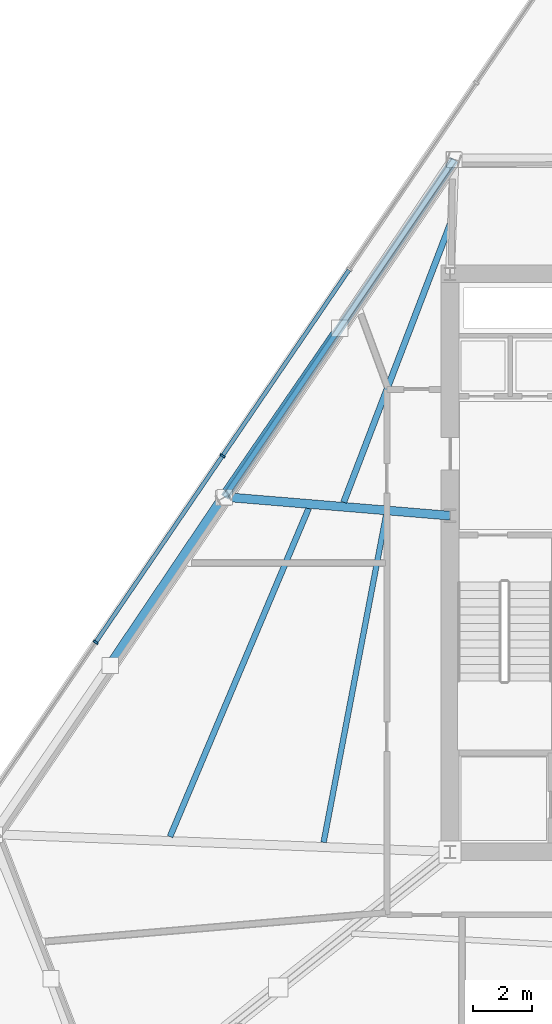
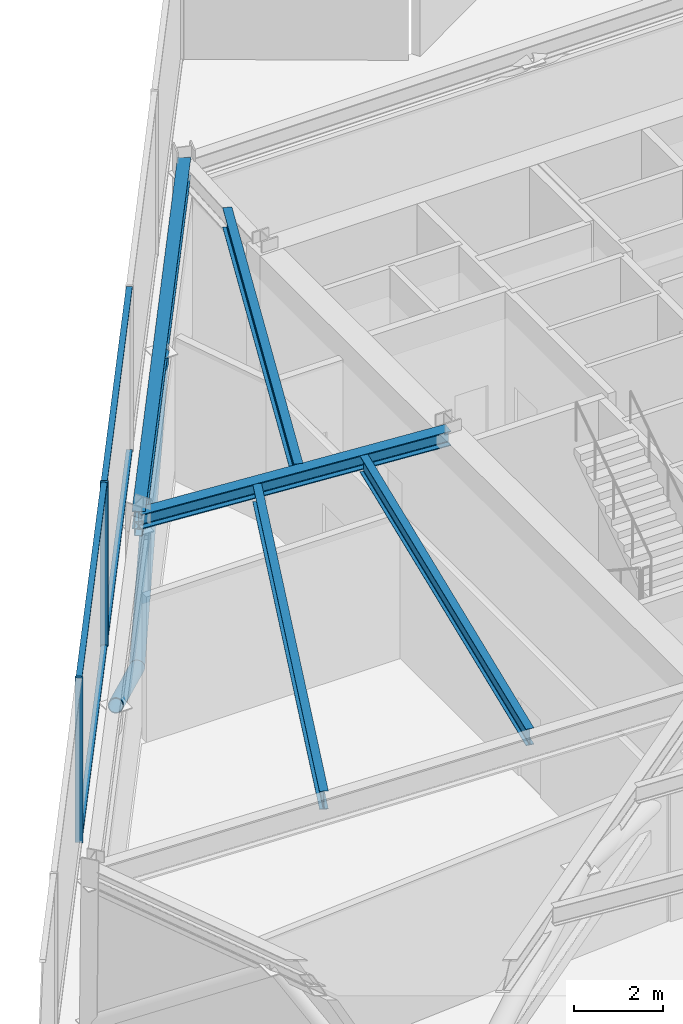
# One storey, part 4 of 16: 9 members, 5 beams, 1 element without a shape of its own.
"""IFC4 building model written with IfcOpenShell, lengths in metres."""

from ifc_helpers import new_model, si_unit, direction, frame, origin, origin_2d, place, context, subcontext, project, spatial, rectangle, hollow_rectangle, hollow_circle, i_section, extrude, material, material_profile, profile_set, type_object, element, aggregate, save


model = new_model("IFC4")

# Units and contexts
model_context = context("Model", 3, precision=1e-05, world=origin(), true_north=direction((0.0, 1.0)))
body_context = subcontext(model_context, "Body", "Model", "MODEL_VIEW")
ifc_project = project(units=[si_unit("LENGTHUNIT", "METRE"), si_unit("AREAUNIT", "SQUARE_METRE"), si_unit("VOLUMEUNIT", "CUBIC_METRE"), si_unit("PLANEANGLEUNIT", "RADIAN"), si_unit("MASSUNIT", "GRAM", prefix="KILO")], contexts=[model_context])

# Site, building, storey
site_placement = place(None, origin())
site = spatial("IfcSite", under=ifc_project, at=site_placement, CompositionType="ELEMENT")
building_placement = place(site_placement, origin())
building = spatial("IfcBuilding", under=site, at=building_placement, Name="Savorim Split Tower", CompositionType="ELEMENT")
storey_placement = place(building_placement, frame((0.0, 0.0, 73.199951171875)))
storey = spatial("IfcBuildingStorey", under=building, at=storey_placement, Name="L19", CompositionType="ELEMENT", Elevation=73.199951171875)

# Beams
ifc_material_1 = material(Name="Steel S355", Category="steel")
ifc_material_profile_1 = material_profile(ifc_material_1, i_section(OverallWidth=0.18994140625, OverallDepth=0.449951171875, WebThickness=0.009521484375, FlangeThickness=0.0146484375, FilletRadius=0.02099609375, at=origin_2d()), Name="IPE 450")
ifc_profile_set_1 = profile_set([ifc_material_profile_1], Name="Steel S355")
beam_type_1 = type_object("IfcBeamType", Name="BM-JST-IPE450", PredefinedType="JOIST", material=ifc_profile_set_1)
beam_1_placement = place(storey_placement, frame((-9.8662109375, 2.0205078125, 4.275146484375), z_axis=(-0.187567919581, -0.982251635552, 0.0), x_axis=(0.982251635552, -0.187567919581, 0.0)))
element("IfcBeam", 1, at=beam_1_placement, inside=storey, type_object=beam_type_1, Name="L19 Secondary Floor Joist JS-11", PredefinedType="JOIST", context=body_context, shape_type="SweptSolid", body=[
    extrude(i_section(OverallWidth=0.18994140625, OverallDepth=0.449951171875, WebThickness=0.009521484375, FlangeThickness=0.0146484375, FilletRadius=0.02099609375, at=origin_2d()), origin(), (0.0, 0.0, 1.0), 11.296630859375),
])
ifc_material_profile_2 = material_profile(ifc_material_1, i_section(OverallWidth=0.199951171875, OverallDepth=0.5, WebThickness=0.01025390625, FlangeThickness=0.01611328125, FilletRadius=0.02099609375, at=origin_2d()), Name="IPE 500")
ifc_profile_set_2 = profile_set([ifc_material_profile_2], Name="Steel S355")
beam_type_2 = type_object("IfcBeamType", Name="BM-JST-IPE500", PredefinedType="JOIST", material=ifc_profile_set_2)
beam_2_placement = place(storey_placement, frame((-12.49267578125, 2.246337890625, 4.25), z_axis=(-0.389040641039, -0.921220592269, 0.0), x_axis=(0.921220592269, -0.389040641039, 0.0)))
element("IfcBeam", 2, at=beam_2_placement, inside=storey, type_object=beam_type_2, Name="L19 Secondary Floor Joist JS-10", PredefinedType="JOIST", context=body_context, shape_type="SweptSolid", body=[
    extrude(i_section(OverallWidth=0.199951171875, OverallDepth=0.5, WebThickness=0.01025390625, FlangeThickness=0.01611328125, FilletRadius=0.02099609375, at=origin_2d()), origin(), (0.0, 0.0, 1.0), 12.080810546875),
])
ifc_material_profile_3 = material_profile(ifc_material_1, i_section(OverallWidth=0.2099609375, OverallDepth=0.550048828125, WebThickness=0.010986328125, FlangeThickness=0.01708984375, FilletRadius=0.02392578125, at=origin_2d()), Name="IPE 550")
ifc_profile_set_3 = profile_set([ifc_material_profile_3], Name="Steel S355")
beam_type_3 = type_object("IfcBeamType", Name="BM-JST-IPE550", PredefinedType="JOIST", material=ifc_profile_set_3)
beam_3_placement = place(storey_placement, frame((-7.684326171875, 11.909912109375, 4.22509765625), z_axis=(-0.357581050503, -0.933882108363, 0.0), x_axis=(0.933882108363, -0.357581050503, 0.0)))
element("IfcBeam", 3, at=beam_3_placement, inside=storey, type_object=beam_type_3, Name="L19 Secondary Floor Joist JS-09", PredefinedType="JOIST", context=body_context, shape_type="SweptSolid", body=[
    extrude(i_section(OverallWidth=0.2099609375, OverallDepth=0.550048828125, WebThickness=0.010986328125, FlangeThickness=0.01708984375, FilletRadius=0.02392578125, at=origin_2d()), origin(), (0.0, 0.0, 1.0), 10.125244140625),
])
ifc_material_profile_4 = material_profile(ifc_material_1, i_section(OverallWidth=0.300048828125, OverallDepth=0.39990234375, WebThickness=0.013427734375, FlangeThickness=0.02392578125, FilletRadius=0.027099609375, at=origin_2d()), Name="HEB 400")
ifc_profile_set_4 = profile_set([ifc_material_profile_4], Name="Steel S355")
beam_type_4 = type_object("IfcBeamType", Name="BM-PRI-HEB400", PredefinedType="BEAM", material=ifc_profile_set_4)
beam_4_placement = place(storey_placement, frame((-15.32958984375, 2.635009765625, 4.300048828125), z_axis=(0.996554329895, -0.082942555824, 0.0), x_axis=(0.082942555824, 0.996554329895, 0.0)))
element("IfcBeam", 4, at=beam_4_placement, inside=storey, type_object=beam_type_4, Name="L19 Primary Floor Girder RG-09", PredefinedType="BEAM", context=body_context, shape_type="SweptSolid", body=[
    extrude(i_section(OverallWidth=0.300048828125, OverallDepth=0.39990234375, WebThickness=0.013427734375, FlangeThickness=0.02392578125, FilletRadius=0.027099609375, at=origin_2d()), origin(), (0.0, 0.0, 1.0), 7.656005859375),
])
ifc_material_profile_5 = material_profile(ifc_material_1, i_section(OverallWidth=0.300048828125, OverallDepth=0.489990234375, WebThickness=0.011962890625, FlangeThickness=0.02294921875, FilletRadius=0.027099609375, at=origin_2d()), Name="HEA 500")
ifc_profile_set_5 = profile_set([ifc_material_profile_5], Name="Steel S355")
beam_type_5 = type_object("IfcBeamType", Name="BM-SPN-HEA500", PredefinedType="SPANDREL", material=ifc_profile_set_5)
beam_5_placement = place(storey_placement, frame((-7.54833984375, 14.0732421875, 4.255126953125), z_axis=(-0.562470752527, -0.826817182061, 0.0), x_axis=(0.826817182061, -0.562470752527, 0.0)))
element("IfcBeam", 5, at=beam_5_placement, inside=storey, type_object=beam_type_5, Name="L19 Perimeter Spandrel Beam 8", PredefinedType="SPANDREL", context=body_context, shape_type="SweptSolid", body=[
    extrude(i_section(OverallWidth=0.300048828125, OverallDepth=0.489990234375, WebThickness=0.011962890625, FlangeThickness=0.02294921875, FilletRadius=0.027099609375, at=origin_2d()), origin(), (0.0, 0.0, 1.0), 13.833984375),
])

# Curtain wall, members
ifc_material_2 = material(Name="Dark Ceramic-Fritted Insulated Glass", Category="glass")
curtain_wall_type = type_object("IfcCurtainWallType", Name="CW-REFUGE-LVR", PredefinedType="NOTDEFINED", material=ifc_material_2)
curtain_wall_placement = place(storey_placement, origin())
curtain_wall = element("IfcCurtainWall", 6, at=curtain_wall_placement, inside=storey, type_object=curtain_wall_type, Name="L19 Curtain Wall CW-L19-WEST", PredefinedType="NOTDEFINED")
ifc_material_3 = material(Name="Charcoal Anodised Aluminium", Category="aluminium")
ifc_material_profile_6 = material_profile(ifc_material_3, rectangle(XDim=0.179931640625, YDim=0.06494140625, at=origin_2d()), Name="ALU-M 180x65")
ifc_profile_set_6 = profile_set([ifc_material_profile_6], Name="Charcoal Anodised Aluminium")
member_type_1 = type_object("IfcMemberType", Name="CWM-180x65", PredefinedType="MULLION", material=ifc_profile_set_6)
member_1_placement = place(storey_placement, frame((-15.41064453125, 4.03173828125, 0.0), z_axis=(0.0, 0.0, 1.0), x_axis=(0.826819906685, -0.562466747381, 0.0)))
member_1 = element("IfcMember", 7, at=member_1_placement, type_object=member_type_1, Name="CW-06 mullion 4", PredefinedType="MULLION", context=body_context, shape_type="SweptSolid", body=[
    extrude(rectangle(XDim=0.179931640625, YDim=0.06494140625, at=origin_2d()), origin(), (0.0, 0.0, 1.0), 4.5),
])
member_2_placement = place(storey_placement, frame((-19.71142578125, -2.29052734375, 0.0), z_axis=(0.0, 0.0, 1.0), x_axis=(0.826819906685, -0.562466747381, 0.0)))
member_2 = element("IfcMember", 8, at=member_2_placement, type_object=member_type_1, Name="CW-06 mullion 5", PredefinedType="MULLION", context=body_context, shape_type="SweptSolid", body=[
    extrude(rectangle(XDim=0.179931640625, YDim=0.06494140625, at=origin_2d()), origin(), (0.0, 0.0, 1.0), 4.5),
])
ifc_material_profile_7 = material_profile(ifc_material_3, rectangle(XDim=0.139892578125, YDim=0.054931640625, at=origin_2d()), Name="ALU-T 140x55")
ifc_profile_set_7 = profile_set([ifc_material_profile_7], Name="Charcoal Anodised Aluminium")
member_type_2 = type_object("IfcMemberType", Name="CWT-140x55", PredefinedType="USERDEFINED", material=ifc_profile_set_7)
member_3_placement = place(storey_placement, frame((-11.1279296875, 10.3271484375, 0.027587890625), z_axis=(-0.562471196559, -0.826816879993, 0.0), x_axis=(0.826816879993, -0.562471196559, 0.0)))
member_3 = element("IfcMember", 9, at=member_3_placement, type_object=member_type_2, Name="CW-06 transom 3.1", ObjectType="TRANSOM", PredefinedType="USERDEFINED", context=body_context, shape_type="SweptSolid", body=[
    extrude(rectangle(XDim=0.139892578125, YDim=0.054931640625, at=origin_2d()), origin(), (0.0, 0.0, 1.0), 7.58154296875),
])
member_4_placement = place(storey_placement, frame((-11.1279296875, 10.3271484375, 4.47265625), z_axis=(-0.562471196559, -0.826816879993, 0.0), x_axis=(0.826816879993, -0.562471196559, 0.0)))
member_4 = element("IfcMember", 10, at=member_4_placement, type_object=member_type_2, Name="CW-06 transom 3.2", ObjectType="TRANSOM", PredefinedType="USERDEFINED", context=body_context, shape_type="SweptSolid", body=[
    extrude(rectangle(XDim=0.139892578125, YDim=0.054931640625, at=origin_2d()), origin(), (0.0, 0.0, 1.0), 7.58154296875),
])
member_5_placement = place(storey_placement, frame((-15.4287109375, 4.0048828125, 0.027587890625), z_axis=(-0.562471196559, -0.826816879993, 0.0), x_axis=(0.826816879993, -0.562471196559, 0.0)))
member_5 = element("IfcMember", 11, at=member_5_placement, type_object=member_type_2, Name="CW-06 transom 4.1", ObjectType="TRANSOM", PredefinedType="USERDEFINED", context=body_context, shape_type="SweptSolid", body=[
    extrude(rectangle(XDim=0.139892578125, YDim=0.054931640625, at=origin_2d()), origin(), (0.0, 0.0, 1.0), 7.58154296875),
])
member_6_placement = place(storey_placement, frame((-15.4287109375, 4.0048828125, 4.47265625), z_axis=(-0.562471196559, -0.826816879993, 0.0), x_axis=(0.826816879993, -0.562471196559, 0.0)))
member_6 = element("IfcMember", 12, at=member_6_placement, type_object=member_type_2, Name="CW-06 transom 4.2", ObjectType="TRANSOM", PredefinedType="USERDEFINED", context=body_context, shape_type="SweptSolid", body=[
    extrude(rectangle(XDim=0.139892578125, YDim=0.054931640625, at=origin_2d()), origin(), (0.0, 0.0, 1.0), 7.58154296875),
])
aggregate(curtain_wall, [member_1, member_2, member_3, member_4, member_5, member_6])

# Members
ifc_material_4 = material(Name="Steel S460", Category="steel")
ifc_material_profile_8 = material_profile(ifc_material_4, hollow_circle(Radius=0.177734375, WallThickness=0.02001953125, at=origin_2d()), Name="CHS 355.6x20")
ifc_profile_set_8 = profile_set([ifc_material_profile_8], Name="Steel S460")
member_type_3 = type_object("IfcMemberType", Name="MBR-BLT-CHS355", PredefinedType="BRACE", material=ifc_profile_set_8)
member_7_placement = place(storey_placement, frame((-15.388671875, 2.601806640625, 0.280029296875), z_axis=(0.498593612204, 0.726162856395, 0.47338347654), x_axis=(-0.824382743675, 0.566032765775, 0.0)))
element("IfcMember", 13, at=member_7_placement, inside=storey, type_object=member_type_3, Name="L19 Perimeter Belt Truss Brace 8B", PredefinedType="BRACE", context=body_context, shape_type="SweptSolid", body=[
    extrude(hollow_circle(Radius=0.177734375, WallThickness=0.02001953125, at=origin_2d()), origin(), (0.0, 0.0, 1.0), 7.921630859375),
])
member_8_placement = place(storey_placement, frame((-15.388671875, 2.601806640625, 0.280029296875), z_axis=(-0.490280641033, -0.727579720253, 0.479846479308), x_axis=(0.829290103217, -0.558818328892, 0.0)))
element("IfcMember", 14, at=member_8_placement, inside=storey, type_object=member_type_3, Name="L19 Perimeter Belt Truss Brace 9A", PredefinedType="BRACE", context=body_context, shape_type="SweptSolid", body=[
    extrude(hollow_circle(Radius=0.177734375, WallThickness=0.02001953125, at=origin_2d()), origin(), (0.0, 0.0, 1.0), 7.81494140625),
])
ifc_material_profile_9 = material_profile(ifc_material_4, hollow_rectangle(XDim=0.199951171875, YDim=0.39990234375, WallThickness=0.01611328125, InnerFilletRadius=0.01611328125, OuterFilletRadius=0.031982421875, at=origin_2d()), Name="RHS 400x200x16")
ifc_profile_set_9 = profile_set([ifc_material_profile_9], Name="Steel S460")
member_type_4 = type_object("IfcMemberType", Name="MBR-CHD-RHS400", PredefinedType="CHORD", material=ifc_profile_set_9)
member_9_placement = place(storey_placement, frame((-7.5537109375, 14.07470703125, 4.030029296875), z_axis=(-0.562461971951, -0.826823155281, 0.0), x_axis=(0.826823155281, -0.562461971951, 0.0)))
element("IfcMember", 15, at=member_9_placement, inside=storey, type_object=member_type_4, Name="L19 Perimeter Belt Truss Chord 8", PredefinedType="CHORD", context=body_context, shape_type="SweptSolid", body=[
    extrude(hollow_rectangle(XDim=0.199951171875, YDim=0.39990234375, WallThickness=0.01611328125, InnerFilletRadius=0.01611328125, OuterFilletRadius=0.031982421875, at=origin_2d()), origin(), (0.0, 0.0, 1.0), 13.842529296875),
])

save(model, "model.ifc")
